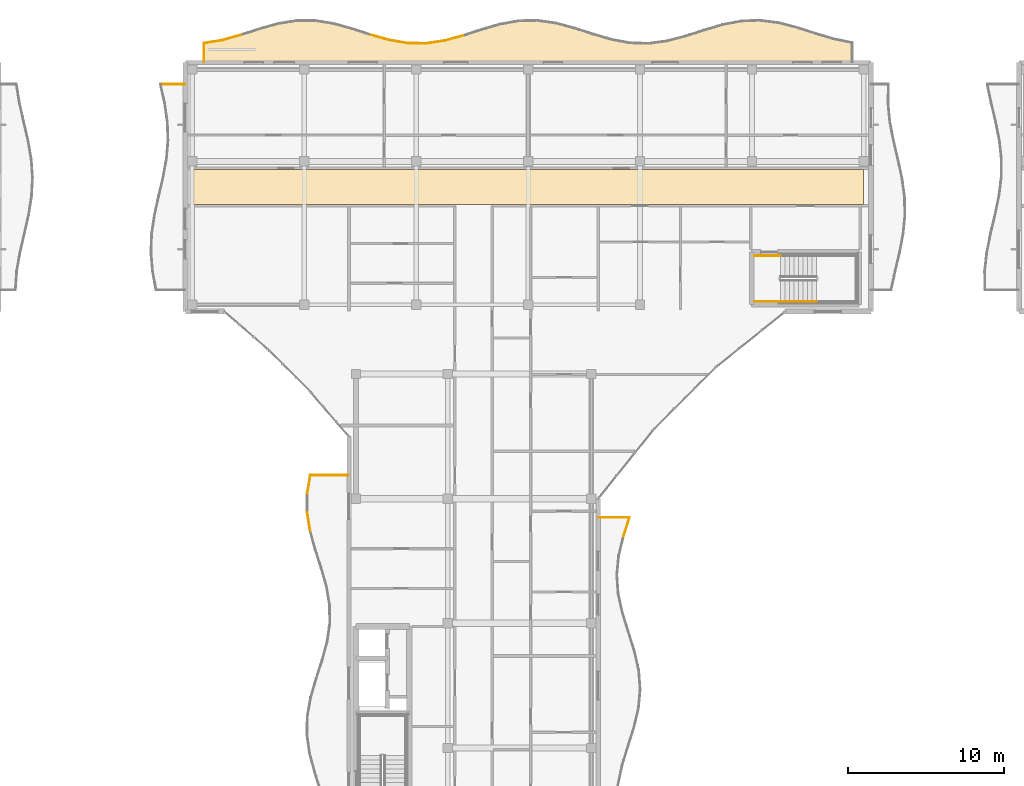
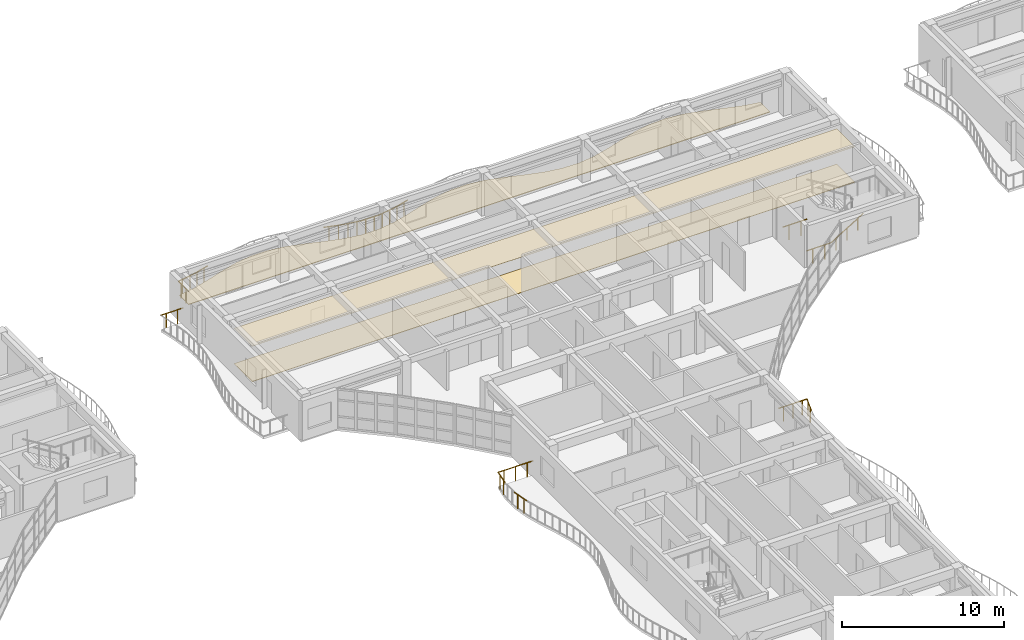
# One storey, part 62 of 71: 17 railings, 3 coverings.
"""IFC4 building model written with IfcOpenShell, lengths in metres."""

from ifc_helpers import new_model, si_unit, direction, frame, origin, origin_2d, place, context, subcontext, project, spatial, polyline, circle, outline, extrude, material, layer, layer_set, type_object, element, save


model = new_model("IFC4")

# Units and contexts
model_context = context("Model", 3, precision=1e-05, world=origin(), true_north=direction((0.0, 1.0)))
body_context = subcontext(model_context, "Body", "Model", "MODEL_VIEW")
ifc_project = project(units=[si_unit("LENGTHUNIT", "METRE"), si_unit("AREAUNIT", "SQUARE_METRE"), si_unit("VOLUMEUNIT", "CUBIC_METRE"), si_unit("PLANEANGLEUNIT", "RADIAN"), si_unit("MASSUNIT", "GRAM", prefix="KILO")], contexts=[model_context])

# Site, building, storey
site_placement = place(None, origin())
site = spatial("IfcSite", under=ifc_project, at=site_placement, CompositionType="ELEMENT")
building_placement = place(site_placement, origin())
building = spatial("IfcBuilding", under=site, at=building_placement, Name="Keldmere Railside Commons", CompositionType="ELEMENT")
storey_placement = place(building_placement, frame((0.0, 0.0, 20.159912109375)))
storey = spatial("IfcBuildingStorey", under=building, at=storey_placement, Name="L06", CompositionType="ELEMENT", Elevation=20.159912109375)

# Railings
ifc_material_1 = material(Name="Steel F-24 (S235)", Category="steel")
railing_type_1 = type_object("IfcRailingType", Name="Balcony & Terrace Steel Balustrade 1100", PredefinedType="BALUSTRADE", material=ifc_material_1)
railing_1_placement = place(storey_placement, frame((94.699951171875, 116.0, 0.0)))
element("IfcRailing", 1, at=railing_1_placement, inside=storey, type_object=railing_type_1, Name="GR-1 GRD-L06-2499", PredefinedType="BALUSTRADE", context=body_context, shape_type="SweptSolid", body=[
    extrude(circle(Radius=0.02392578125, at=origin_2d()), frame((0.0, 0.0, 1.076171875), z_axis=(0.0, 1.0, 0.0), x_axis=(-1.0, 0.0, 0.0)), (0.0, 0.0, 1.0), 1.230712890625),
    extrude(circle(Radius=0.02099609375, at=origin_2d()), frame((0.0, 0.3076171875, 0.0)), (0.0, 0.0, 1.0), 1.048095703125),
    extrude(circle(Radius=0.02099609375, at=origin_2d()), frame((0.0, 0.923095703125, 0.0)), (0.0, 0.0, 1.0), 1.048095703125),
])
railing_2_placement = place(storey_placement, frame((94.699951171875, 117.230712890625, 0.0)))
element("IfcRailing", 2, at=railing_2_placement, inside=storey, type_object=railing_type_1, Name="GR-1 GRD-L06-2500", PredefinedType="BALUSTRADE", context=body_context, shape_type="SweptSolid", body=[
    extrude(circle(Radius=0.02392578125, at=origin_2d()), frame((0.0, 0.0, 1.076171875), z_axis=(0.986113340229, 0.166073719242, 0.0), x_axis=(-0.166073719242, 0.986113340229, 0.0)), (0.0, 0.0, 1.0), 1.20556640625),
    extrude(circle(Radius=0.02099609375, at=origin_2d()), frame((0.297119140625, 0.050048828125, 0.0)), (0.0, 0.0, 1.0), 1.048095703125),
    extrude(circle(Radius=0.02099609375, at=origin_2d()), frame((0.8916015625, 0.150146484375, 0.0)), (0.0, 0.0, 1.0), 1.048095703125),
])
railing_3_placement = place(storey_placement, frame((95.888671875, 117.430908203125, 0.0)))
element("IfcRailing", 3, at=railing_3_placement, inside=storey, type_object=railing_type_1, Name="GR-1 GRD-L06-2501", PredefinedType="BALUSTRADE", context=body_context, shape_type="SweptSolid", body=[
    extrude(circle(Radius=0.02392578125, at=origin_2d()), frame((0.0, 0.0, 1.076171875), z_axis=(0.962192363698, 0.272370804679, 0.0), x_axis=(-0.272370804679, 0.962192363698, 0.0)), (0.0, 0.0, 1.0), 1.235107421875),
    extrude(circle(Radius=0.02099609375, at=origin_2d()), frame((0.297119140625, 0.083984375, 0.0)), (0.0, 0.0, 1.0), 1.048095703125),
    extrude(circle(Radius=0.02099609375, at=origin_2d()), frame((0.891357421875, 0.25244140625, 0.0)), (0.0, 0.0, 1.0), 1.048095703125),
])
railing_4_placement = place(storey_placement, frame((105.397216796875, 117.769775390625, 0.0)))
element("IfcRailing", 4, at=railing_4_placement, inside=storey, type_object=railing_type_1, Name="GR-1 GRD-L06-2509", PredefinedType="BALUSTRADE", context=body_context, shape_type="SweptSolid", body=[
    extrude(circle(Radius=0.02392578125, at=origin_2d()), frame((0.0, 0.0, 1.076171875), z_axis=(0.962036830814, -0.272919651469, 0.0), x_axis=(0.272919651469, 0.962036830814, 0.0)), (0.0, 0.0, 1.0), 1.2353515625),
    extrude(circle(Radius=0.02099609375, at=origin_2d()), frame((0.297119140625, -0.084228515625, 0.0)), (0.0, 0.0, 1.0), 1.048095703125),
    extrude(circle(Radius=0.02099609375, at=origin_2d()), frame((0.891357421875, -0.2529296875, 0.0)), (0.0, 0.0, 1.0), 1.048095703125),
])
railing_5_placement = place(storey_placement, frame((106.585693359375, 117.4326171875, 0.0)))
element("IfcRailing", 5, at=railing_5_placement, inside=storey, type_object=railing_type_1, Name="GR-1 GRD-L06-2510", PredefinedType="BALUSTRADE", context=body_context, shape_type="SweptSolid", body=[
    extrude(circle(Radius=0.02392578125, at=origin_2d()), frame((0.0, 0.0, 1.076171875), z_axis=(0.985980372909, -0.166861332363, 0.0), x_axis=(0.166861332363, 0.985980372909, 0.0)), (0.0, 0.0, 1.0), 1.20556640625),
    extrude(circle(Radius=0.02099609375, at=origin_2d()), frame((0.297119140625, -0.05029296875, 0.0)), (0.0, 0.0, 1.0), 1.048095703125),
    extrude(circle(Radius=0.02099609375, at=origin_2d()), frame((0.8916015625, -0.15087890625, 0.0)), (0.0, 0.0, 1.0), 1.048095703125),
])
railing_6_placement = place(storey_placement, frame((107.7744140625, 117.2314453125, 0.0)))
element("IfcRailing", 6, at=railing_6_placement, inside=storey, type_object=railing_type_1, Name="GR-1 GRD-L06-2511", PredefinedType="BALUSTRADE", context=body_context, shape_type="SweptSolid", body=[
    extrude(circle(Radius=0.02392578125, at=origin_2d()), frame((0.0, 0.0, 1.076171875), z_axis=(0.999949344335, -0.010065225528, 0.0), x_axis=(0.010065225528, 0.999949344335, 0.0)), (0.0, 0.0, 1.0), 1.1884765625),
    extrude(circle(Radius=0.02099609375, at=origin_2d()), frame((0.297119140625, -0.0029296875, 0.0)), (0.0, 0.0, 1.0), 1.048095703125),
    extrude(circle(Radius=0.02099609375, at=origin_2d()), frame((0.891357421875, -0.009033203125, 0.0)), (0.0, 0.0, 1.0), 1.048095703125),
])
railing_7_placement = place(storey_placement, frame((108.962890625, 117.219482421875, 0.0)))
element("IfcRailing", 7, at=railing_7_placement, inside=storey, type_object=railing_type_1, Name="GR-1 GRD-L06-2512", PredefinedType="BALUSTRADE", context=body_context, shape_type="SweptSolid", body=[
    extrude(circle(Radius=0.02392578125, at=origin_2d()), frame((0.0, 0.0, 1.076171875), z_axis=(0.98873281837, 0.14969106145, 0.0), x_axis=(-0.14969106145, 0.98873281837, 0.0)), (0.0, 0.0, 1.0), 1.201904296875),
    extrude(circle(Radius=0.02099609375, at=origin_2d()), frame((0.297119140625, 0.044921875, 0.0)), (0.0, 0.0, 1.0), 1.048095703125),
    extrude(circle(Radius=0.02099609375, at=origin_2d()), frame((0.891357421875, 0.135009765625, 0.0)), (0.0, 0.0, 1.0), 1.048095703125),
])
railing_8_placement = place(storey_placement, frame((110.1513671875, 117.3994140625, 0.0)))
element("IfcRailing", 8, at=railing_8_placement, inside=storey, type_object=railing_type_1, Name="GR-1 GRD-L06-2513", PredefinedType="BALUSTRADE", context=body_context, shape_type="SweptSolid", body=[
    extrude(circle(Radius=0.02392578125, at=origin_2d()), frame((0.0, 0.0, 1.076171875), z_axis=(0.964658586846, 0.263502961698, 0.0), x_axis=(-0.263502961698, 0.964658586846, 0.0)), (0.0, 0.0, 1.0), 1.232177734375),
    extrude(circle(Radius=0.02099609375, at=origin_2d()), frame((0.297119140625, 0.0810546875, 0.0)), (0.0, 0.0, 1.0), 1.048095703125),
    extrude(circle(Radius=0.02099609375, at=origin_2d()), frame((0.8916015625, 0.24365234375, 0.0)), (0.0, 0.0, 1.0), 1.048095703125),
])
railing_9_placement = place(storey_placement, frame((121.619873046875, 85.574951171875, 0.0)))
element("IfcRailing", 9, at=railing_9_placement, inside=storey, type_object=railing_type_1, Name="GR-1 GRD-L06-2560", PredefinedType="BALUSTRADE", context=body_context, shape_type="SweptSolid", body=[
    extrude(circle(Radius=0.02392578125, at=origin_2d()), frame((0.0, 0.0, 1.076171875), z_axis=(0.302576393516, 0.953125136636, 0.0), x_axis=(-0.953125136636, 0.302576393516, 0.0)), (0.0, 0.0, 1.0), 1.285400390625),
    extrude(circle(Radius=0.02099609375, at=origin_2d()), frame((0.09716796875, 0.30615234375, 0.0)), (0.0, 0.0, 1.0), 1.048095703125),
    extrude(circle(Radius=0.02099609375, at=origin_2d()), frame((0.291748046875, 0.9189453125, 0.0)), (0.0, 0.0, 1.0), 1.048095703125),
])
railing_10_placement = place(storey_placement, frame((122.0087890625, 86.800048828125, 0.0)))
element("IfcRailing", 10, at=railing_10_placement, inside=storey, type_object=railing_type_1, Name="GR-1 GRD-L06-2561", PredefinedType="BALUSTRADE", context=body_context, shape_type="SweptSolid", body=[
    extrude(circle(Radius=0.02392578125, at=origin_2d()), frame((0.0, 0.0, 1.076171875), z_axis=(-1.0, 0.0, 0.0), x_axis=(0.0, -1.0, 0.0)), (0.0, 0.0, 1.0), 2.0087890625),
    extrude(circle(Radius=0.02099609375, at=origin_2d()), frame((-0.334716796875, 0.0, 0.0)), (0.0, 0.0, 1.0), 1.048095703125),
    extrude(circle(Radius=0.02099609375, at=origin_2d()), frame((-1.00439453125, 0.0, 0.0)), (0.0, 0.0, 1.0), 1.048095703125),
    extrude(circle(Radius=0.02099609375, at=origin_2d()), frame((-1.674072265625, 0.0, 0.0)), (0.0, 0.0, 1.0), 1.048095703125),
])
railing_11_placement = place(storey_placement, frame((101.51171875, 85.933349609375, 0.0)))
element("IfcRailing", 11, at=railing_11_placement, inside=storey, type_object=railing_type_1, Name="GR-1 GRD-L06-2587", PredefinedType="BALUSTRADE", context=body_context, shape_type="SweptSolid", body=[
    extrude(circle(Radius=0.02392578125, at=origin_2d()), frame((0.0, 0.0, 1.076171875), z_axis=(-0.1563687342, 0.987698749095, 0.0), x_axis=(-0.987698749095, -0.1563687342, 0.0)), (0.0, 0.0, 1.0), 1.203857421875),
    extrude(circle(Radius=0.02099609375, at=origin_2d()), frame((-0.047119140625, 0.29736328125, 0.0)), (0.0, 0.0, 1.0), 1.048095703125),
    extrude(circle(Radius=0.02099609375, at=origin_2d()), frame((-0.14111328125, 0.8916015625, 0.0)), (0.0, 0.0, 1.0), 1.048095703125),
])
railing_12_placement = place(storey_placement, frame((101.32666015625, 88.31103515625, 0.0)))
element("IfcRailing", 12, at=railing_12_placement, inside=storey, type_object=railing_type_1, Name="GR-1 GRD-L06-2589", PredefinedType="BALUSTRADE", context=body_context, shape_type="SweptSolid", body=[
    extrude(circle(Radius=0.02392578125, at=origin_2d()), frame((0.0, 0.0, 1.076171875), z_axis=(0.160519481801, 0.987032672186, 0.0), x_axis=(-0.987032672186, 0.160519481801, 0.0)), (0.0, 0.0, 1.0), 1.20458984375),
    extrude(circle(Radius=0.02099609375, at=origin_2d()), frame((0.04833984375, 0.29736328125, 0.0)), (0.0, 0.0, 1.0), 1.048095703125),
    extrude(circle(Radius=0.02099609375, at=origin_2d()), frame((0.14501953125, 0.8916015625, 0.0)), (0.0, 0.0, 1.0), 1.048095703125),
])
railing_13_placement = place(storey_placement, frame((101.52001953125, 89.5, 0.0)))
element("IfcRailing", 13, at=railing_13_placement, inside=storey, type_object=railing_type_1, Name="GR-1 GRD-L06-2590", PredefinedType="BALUSTRADE", context=body_context, shape_type="SweptSolid", body=[
    extrude(circle(Radius=0.02392578125, at=origin_2d()), frame((0.0, 0.0, 1.076171875), z_axis=(1.0, 0.0, 0.0), x_axis=(0.0, 1.0, 0.0)), (0.0, 0.0, 1.0), 2.47998046875),
    extrude(circle(Radius=0.02099609375, at=origin_2d()), frame((0.413330078125, 0.0, 0.0)), (0.0, 0.0, 1.0), 1.048095703125),
    extrude(circle(Radius=0.02099609375, at=origin_2d()), frame((1.239990234375, 0.0, 0.0)), (0.0, 0.0, 1.0), 1.048095703125),
    extrude(circle(Radius=0.02099609375, at=origin_2d()), frame((2.066650390625, 0.0, 0.0)), (0.0, 0.0, 1.0), 1.048095703125),
])
railing_14_placement = place(storey_placement, frame((91.90869140625, 114.60009765625, 0.0)))
element("IfcRailing", 14, at=railing_14_placement, inside=storey, type_object=railing_type_1, Name="GR-1 GRD-L06-2616", PredefinedType="BALUSTRADE", context=body_context, shape_type="SweptSolid", body=[
    extrude(circle(Radius=0.02392578125, at=origin_2d()), frame((0.0, 0.0, 1.076171875), z_axis=(1.0, 0.0, 0.0), x_axis=(0.0, 1.0, 0.0)), (0.0, 0.0, 1.0), 1.59130859375),
    extrude(circle(Radius=0.02099609375, at=origin_2d()), frame((0.39794921875, 0.0, 0.0)), (0.0, 0.0, 1.0), 1.048095703125),
    extrude(circle(Radius=0.02099609375, at=origin_2d()), frame((1.193359375, 0.0, 0.0)), (0.0, 0.0, 1.0), 1.048095703125),
])

# Covering
ifc_material_2 = material(Name="Polished Terrazzo Tile Flooring", Category="concrete")
ifc_layer_1 = layer(ifc_material_2, 0.030029296875, Name="Polished Terrazzo Floor Finish 30")
ifc_layer_set_1 = layer_set([ifc_layer_1], Name="Polished Terrazzo Tile Flooring")
covering_type_1 = type_object("IfcCoveringType", Name="Polished Terrazzo Floor Finish 30", PredefinedType="FLOORING", material=ifc_layer_set_1)
covering_1_placement = place(storey_placement, origin())
element("IfcCovering", 15, at=covering_1_placement, inside=storey, type_object=covering_type_1, Name="FLR-1 Corridor Terrazzo B-L06", PredefinedType="FLOORING", context=body_context, shape_type="SweptSolid", body=[
    extrude(outline(polyline([(93.97998046875, 106.8798828125), (137.02001953125, 106.8798828125), (137.02001953125, 109.1201171875), (93.97998046875, 109.1201171875), (93.97998046875, 106.8798828125)])), origin(), (0.0, 0.0, 1.0), 0.030029296875),
])

# Railings
railing_type_2 = type_object("IfcRailingType", Name="Stair Well Steel Guardrail 1100", PredefinedType="BALUSTRADE", material=ifc_material_1)
for number, where, name in (
    (16, (130.0, 100.64990234375, 0.0), "L06 ST-B2 stair guard 8"),
    (17, (130.0, 103.60009765625, 0.0), "L06 ST-B2 stair guard 9"),
):
    element("IfcRailing", number, at=place(storey_placement, frame(where)), inside=storey, type_object=railing_type_2, Name=name, PredefinedType="BALUSTRADE", context=body_context, shape_type="SweptSolid", body=[
        extrude(circle(Radius=0.02392578125, at=origin_2d()), frame((0.0, 0.0, 1.076171875), z_axis=(1.0, 0.0, 0.0), x_axis=(0.0, 1.0, 0.0)), (0.0, 0.0, 1.0), 1.699951171875),
        extrude(circle(Radius=0.02099609375, at=origin_2d()), frame((0.425048828125, 0.0, 0.0)), (0.0, 0.0, 1.0), 1.048095703125),
        extrude(circle(Radius=0.02099609375, at=origin_2d()), frame((1.27490234375, 0.0, 0.0)), (0.0, 0.0, 1.0), 1.048095703125),
    ])

# Covering
ifc_material_3 = material(Name="Acoustic Mineral-Fibre Gypsum Ceiling", Category="gypsum")
ifc_layer_2 = layer(ifc_material_3, 0.02490234375, Name="Suspended Acoustic Ceiling 25")
ifc_layer_set_2 = layer_set([ifc_layer_2], Name="Acoustic Mineral-Fibre Gypsum Ceiling")
covering_type_2 = type_object("IfcCoveringType", Name="Suspended Acoustic Ceiling 25", PredefinedType="CEILING", material=ifc_layer_set_2)
covering_2_placement = place(storey_placement, frame((0.0, 0.0, 2.675048828125)))
element("IfcCovering", 18, at=covering_2_placement, inside=storey, type_object=covering_type_2, Name="CLG-1 Corridor Ceiling B-L06", PredefinedType="CEILING", context=body_context, shape_type="SweptSolid", body=[
    extrude(outline(polyline([(93.97998046875, 106.8798828125), (137.02001953125, 106.8798828125), (137.02001953125, 109.1201171875), (93.97998046875, 109.1201171875), (93.97998046875, 106.8798828125)])), origin(), (0.0, 0.0, 1.0), 0.025146484375),
])

# Railing
railing_type_3 = type_object("IfcRailingType", Name="Wall-Mounted Tubular Steel Handrail 900", PredefinedType="HANDRAIL", material=ifc_material_1)
railing_15_placement = place(storey_placement, frame((131.699951171875, 100.64990234375, 0.177978515625)))
element("IfcRailing", 19, at=railing_15_placement, inside=storey, type_object=railing_type_3, Name="L06 ST-B2 stair handrail 1", PredefinedType="HANDRAIL", context=body_context, shape_type="SweptSolid", body=[
    extrude(circle(Radius=0.02392578125, at=origin_2d()), frame((0.0, 0.0, 0.8759765625), z_axis=(0.852578041948, 0.0, 0.522599925744), x_axis=(0.0, 1.0, 0.0)), (0.0, 0.0, 1.0), 2.72119140625),
    extrude(circle(Radius=0.02099609375, at=origin_2d()), frame((0.38671875, 0.0, 0.237060546875)), (0.0, 0.0, 1.0), 0.847900390625),
    extrude(circle(Radius=0.02099609375, at=origin_2d()), frame((1.16015625, 0.0, 0.7109375)), (0.0, 0.0, 1.0), 0.847900390625),
    extrude(circle(Radius=0.02099609375, at=origin_2d()), frame((1.933349609375, 0.0, 1.18505859375)), (0.0, 0.0, 1.0), 0.847900390625),
])

# Covering
ifc_material_4 = material(Name="White Precast Concrete C35/45", Category="concrete")
ifc_layer_3 = layer(ifc_material_4, 0.044921875, Name="White Architectural Balcony Ribbon Cladding 45")
ifc_layer_set_3 = layer_set([ifc_layer_3], Name="White Precast Concrete C35/45")
covering_type_3 = type_object("IfcCoveringType", Name="White Architectural Balcony Ribbon Cladding 45", PredefinedType="FLOORING", material=ifc_layer_set_3)
covering_3_placement = place(storey_placement, origin())
element("IfcCovering", 20, at=covering_3_placement, inside=storey, type_object=covering_type_3, Name="CLG-WB B L06 N White Balcony Ribbon", PredefinedType="FLOORING", context=body_context, shape_type="SweptSolid", body=[
    extrude(outline(polyline([(136.260009765625, 116.0400390625), (136.260009765625, 117.2294921875), (135.103515625, 117.4619140625), (135.099853515625, 117.462890625), (133.911376953125, 117.819580078125), (133.91064453125, 117.81982421875), (132.72314453125, 118.200439453125), (131.5380859375, 118.504638671875), (130.35546875, 118.65283203125), (129.173095703125, 118.6064453125), (127.989501953125, 118.377685546875), (126.80322265625, 118.026123046875), (125.615234375, 117.643798828125), (125.613037109375, 117.643310546875), (124.424560546875, 117.331298828125), (124.419677734375, 117.330322265625), (123.23095703125, 117.1708984375), (123.227783203125, 117.170654296875), (123.224609375, 117.17041015625), (122.035888671875, 117.205810546875), (122.032958984375, 117.205810546875), (122.02978515625, 117.206298828125), (120.84130859375, 117.4267578125), (120.83740234375, 117.427490234375), (119.648681640625, 117.775146484375), (119.647705078125, 117.775390625), (118.460205078125, 118.15869140625), (117.27490234375, 118.476318359375), (116.091796875, 118.645263671875), (114.90966796875, 118.621826171875), (113.726318359375, 118.411865234375), (112.540283203125, 118.070068359375), (111.352294921875, 117.68603515625), (111.3505859375, 117.685546875), (110.161865234375, 117.36083984375), (110.157470703125, 117.35986328125), (108.968994140625, 117.179931640625), (108.9658203125, 117.179443359375), (108.96240234375, 117.179443359375), (107.77392578125, 117.19140625), (107.770751953125, 117.191650390625), (107.767578125, 117.192138671875), (106.5791015625, 117.393310546875), (106.57470703125, 117.39404296875), (105.38623046875, 117.731201171875), (105.384765625, 117.731689453125), (104.197021484375, 118.115966796875), (103.011474609375, 118.446044921875), (101.828125, 118.63525390625), (100.64599609375, 118.634521484375), (99.462890625, 118.4443359375), (98.277099609375, 118.11376953125), (97.08935546875, 117.729248046875), (97.087890625, 117.72900390625), (95.8994140625, 117.392333984375), (95.895263671875, 117.391357421875), (94.739990234375, 117.197021484375), (94.739990234375, 116.0400390625), (136.260009765625, 116.0400390625)])), origin(), (0.0, 0.0, 1.0), 0.045166015625),
])

save(model, "model.ifc")
